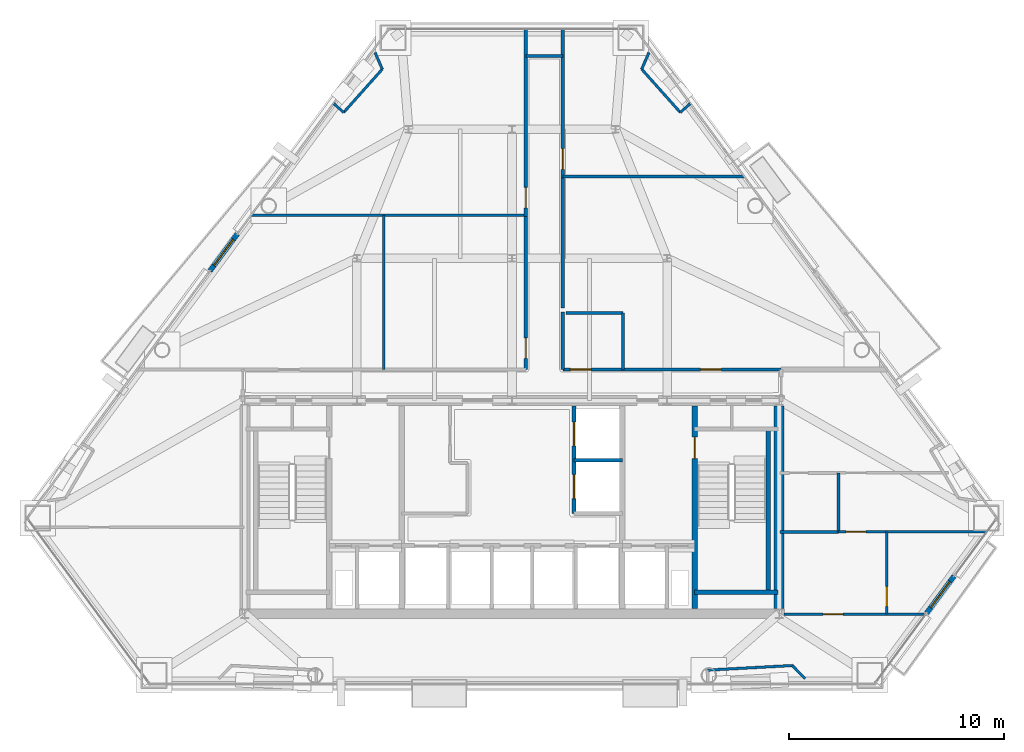
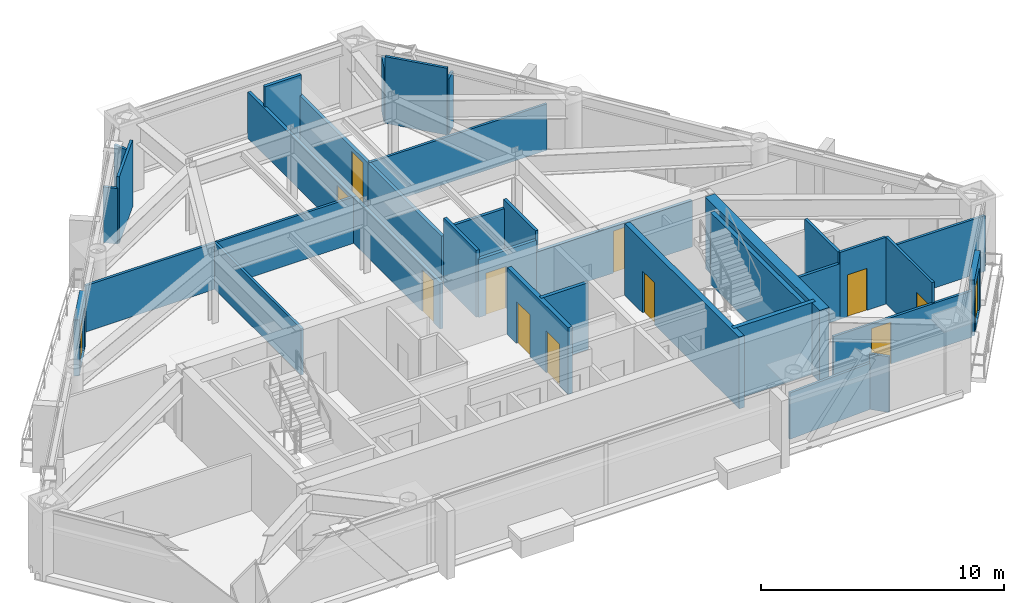
# One storey, part 8 of 11: 35 walls, 13 doors, 13 openings.
"""IFC4 building model written with IfcOpenShell, lengths in metres."""

import ifcopenshell
import ifcopenshell.guid

model = None  # the IFC model being written
_history = None  # IfcOwnerHistory: only IFC2X3 demands one
_inside = {}  # id of a spatial element -> (the spatial element, [elements in it])
_under = {}  # id of a project, library or spatial element -> (it, [spatial elements below it])
_declared = {}  # id of a project -> (the project, [libraries it declares])
_typed = {}  # id of a type object -> (the type object, [elements of that type])
_made_of = {}  # id of a material, layer set ... -> (it, [elements and type objects made of it])


def new_model(schema):
    """Start an empty IFC model of exactly this schema.

    Asked for "IFC4X3", IfcOpenShell would pick the latest addendum, in which some entities
    have other attributes; the version numbers below select the first issue.
    IFC2X3 requires an IfcOwnerHistory on every rooted entity: one is made here for all.
    """
    global model, _history
    if schema == "IFC4X3":
        model = ifcopenshell.file(schema_version=(4, 3, 0, 0))
    else:
        model = ifcopenshell.file(schema=schema)
    _inside.clear()
    _under.clear()
    _declared.clear()
    _typed.clear()
    _made_of.clear()
    _history = None
    if model.schema == "IFC2X3":
        org = make("IfcOrganization", Name="unknown")
        user = make(
            "IfcPersonAndOrganization",
            ThePerson=make("IfcPerson", FamilyName="unknown"),
            TheOrganization=org,
        )
        app = make(
            "IfcApplication",
            ApplicationDeveloper=org,
            Version="unknown",
            ApplicationFullName="unknown",
            ApplicationIdentifier="unknown",
        )
        _history = make(
            "IfcOwnerHistory",
            OwningUser=user,
            OwningApplication=app,
            ChangeAction="ADDED",
            CreationDate=0,
        )
    return model


def make(cls, **values):
    """One entity of the class cls with the attributes given. An attribute that is None is left unset."""
    return model.create_entity(
        cls, **{name: value for name, value in values.items() if value is not None}
    )


def rooted(cls, **values):
    """An entity with a GlobalId (a new one), such as an element, a storey or a relation."""
    return make(cls, GlobalId=ifcopenshell.guid.new(), OwnerHistory=_history, **values)


def si_unit(unit_type, name, prefix=None):
    """IfcSIUnit, for example si_unit("LENGTHUNIT", "METRE", prefix="MILLI")."""
    return make("IfcSIUnit", UnitType=unit_type, Prefix=prefix, Name=name)


def assignment(units):
    """IfcUnitAssignment: the units of a project."""
    return None if units is None else make("IfcUnitAssignment", Units=units)


def point(xyz):
    """IfcCartesianPoint."""
    return None if xyz is None else make("IfcCartesianPoint", Coordinates=xyz)


def direction(xyz):
    """IfcDirection."""
    return None if xyz is None else make("IfcDirection", DirectionRatios=xyz)


def frame(location, z_axis=None, x_axis=None):
    """IfcAxis2Placement3D, a coordinate frame: its origin and axes. An axis left out is left unset."""
    return make(
        "IfcAxis2Placement3D",
        Location=point(location),
        Axis=direction(z_axis),
        RefDirection=direction(x_axis),
    )


def frame_2d(location, x_axis=None):
    """IfcAxis2Placement2D, a coordinate frame in the plane: its origin and x axis."""
    return make(
        "IfcAxis2Placement2D", Location=point(location), RefDirection=direction(x_axis)
    )


def origin():
    """The frame at (0, 0, 0) with its axes left unset."""
    return frame((0.0, 0.0, 0.0))


def place(relative_to, where):
    """IfcLocalPlacement: puts the frame where relative to a parent placement (None: the world)."""
    return make(
        "IfcLocalPlacement", PlacementRelTo=relative_to, RelativePlacement=where
    )


def context(
    kind, dimensions, precision=None, world=None, true_north=None, identifier=None
):
    """IfcGeometricRepresentationContext, for example the 3D "Model" context."""
    return make(
        "IfcGeometricRepresentationContext",
        ContextIdentifier=identifier,
        ContextType=kind,
        CoordinateSpaceDimension=dimensions,
        Precision=precision,
        WorldCoordinateSystem=world,
        TrueNorth=true_north,
    )


def subcontext(parent, identifier, kind, view, scale=None):
    """IfcGeometricRepresentationSubContext, for example "Body" below "Model"."""
    return make(
        "IfcGeometricRepresentationSubContext",
        ContextIdentifier=identifier,
        ContextType=kind,
        ParentContext=parent,
        TargetScale=scale,
        TargetView=view,
    )


def project(units=None, contexts=None):
    """IfcProject with its units and contexts."""
    return rooted(
        "IfcProject",
        Name="project",
        RepresentationContexts=contexts,
        UnitsInContext=assignment(units),
    )


def spatial(cls, under=None, at=None, **own):
    """A site, building, storey or space (cls), placed at a placement, below another one or the project."""
    s = rooted(cls, ObjectPlacement=at, **own)
    if under is not None:
        _under.setdefault(under.id(), (under, []))[1].append(s)
    return s


def profile(cls, at=None, kind="AREA", **sizes):
    """A parametric profile (cls). Its sizes go by their IFC names, for example OverallWidth=200.0."""
    return make(cls, ProfileType=kind, Position=at, **sizes)


def rectangle(**sizes):
    """IfcRectangleProfileDef."""
    return profile("IfcRectangleProfileDef", **sizes)


def extrude(swept, where, along, depth):
    """IfcExtrudedAreaSolid: the profile swept, set in the frame where, extruded along a direction by depth."""
    return make(
        "IfcExtrudedAreaSolid",
        SweptArea=swept,
        Position=where,
        ExtrudedDirection=direction(along),
        Depth=depth,
    )


def shape(context_of_items, identifier, shape_type, items):
    """IfcShapeRepresentation: the items that make up one representation, for example the "Body"."""
    return make(
        "IfcShapeRepresentation",
        ContextOfItems=context_of_items,
        RepresentationIdentifier=identifier,
        RepresentationType=shape_type,
        Items=items,
    )


def material(Name=None, Category=None):
    """IfcMaterial."""
    return make("IfcMaterial", Name=Name, Category=Category)


def layer(
    of_material, thickness, ventilated=None, Name=None, Category=None, Priority=None
):
    """IfcMaterialLayer: one layer of a wall or slab, of a material (None: an air gap)."""
    return make(
        "IfcMaterialLayer",
        Material=of_material,
        LayerThickness=thickness,
        IsVentilated=ventilated,
        Name=Name,
        Category=Category,
        Priority=Priority,
    )


def layer_set(layers, Name=None):
    """IfcMaterialLayerSet."""
    return make("IfcMaterialLayerSet", MaterialLayers=layers, LayerSetName=Name)


def made_of(thing, what):
    """Note that an element or type object is made of a material, layer set ...; save() writes the relation."""
    if what is not None:
        _made_of.setdefault(what.id(), (what, []))[1].append(thing)
    return thing


def type_object(cls, material=None, **own):
    """A type object (cls), such as IfcWallType, which elements share."""
    return made_of(rooted(cls, **own), material)


def element(
    cls,
    number,
    at=None,
    inside=None,
    cuts=None,
    type_object=None,
    material=None,
    context=None,
    identifier="Body",
    shape_type=None,
    held_by="IfcProductDefinitionShape",
    body=None,
    shapes=None,
    **own,
):
    """One element of the class cls, such as IfcWall. Its Tag is "e" and its number.

    at: its placement. inside: the storey or other place that contains it. cuts: it is an
    opening in that element (IfcRelVoidsElement). A single representation is given by context,
    identifier, shape_type and body (its items); several are given by shapes. held_by: the class
    of the entity that holds the representations. save() writes the other relations.
    """
    e = rooted(cls, Tag="e%d" % number, ObjectPlacement=at, **own)
    if body is not None:
        shapes = [shape(context, identifier, shape_type, body)]
    if shapes is not None:
        e.Representation = make(held_by, Representations=shapes)
    if inside is not None:
        _inside.setdefault(inside.id(), (inside, []))[1].append(e)
    if cuts is not None:
        rooted(
            "IfcRelVoidsElement", RelatingBuildingElement=cuts, RelatedOpeningElement=e
        )
    if type_object is not None:
        _typed.setdefault(type_object.id(), (type_object, []))[1].append(e)
    return made_of(e, material)


def fill(opening, filler):
    """IfcRelFillsElement: the door or window that sits in an opening."""
    return rooted(
        "IfcRelFillsElement",
        RelatingOpeningElement=opening,
        RelatedBuildingElement=filler,
    )


def aggregate(whole, parts):
    """IfcRelAggregates: a whole, such as a stair, and the parts it consists of."""
    return rooted("IfcRelAggregates", RelatingObject=whole, RelatedObjects=parts)


def save(model, path):
    """Write the relations noted so far, then the file.

    IfcRelAggregates (storeys below a building ...), IfcRelContainedInSpatialStructure (elements
    in a storey), IfcRelDefinesByType, IfcRelAssociatesMaterial and IfcRelDeclares: one each for
    every whole, place, type object, material and project.
    """
    for whole, parts in _under.values():
        aggregate(whole, parts)
    for where, things in _inside.values():
        rooted(
            "IfcRelContainedInSpatialStructure",
            RelatedElements=things,
            RelatingStructure=where,
        )
    for kind, things in _typed.values():
        rooted("IfcRelDefinesByType", RelatedObjects=things, RelatingType=kind)
    for what, things in _made_of.values():
        rooted("IfcRelAssociatesMaterial", RelatedObjects=things, RelatingMaterial=what)
    for by, libraries in _declared.values():
        rooted("IfcRelDeclares", RelatingContext=by, RelatedDefinitions=libraries)
    model.write(path)


model = new_model("IFC4")

# Units and contexts
model_context = context("Model", 3, precision=1e-05, world=origin(), true_north=direction((0.0, 1.0)))
body_context = subcontext(model_context, "Body", "Model", "MODEL_VIEW")
ifc_project = project(units=[si_unit("LENGTHUNIT", "METRE"), si_unit("AREAUNIT", "SQUARE_METRE"), si_unit("VOLUMEUNIT", "CUBIC_METRE"), si_unit("PLANEANGLEUNIT", "RADIAN"), si_unit("MASSUNIT", "GRAM", prefix="KILO")], contexts=[model_context])

# Site, building, storey
site_placement = place(None, origin())
site = spatial("IfcSite", under=ifc_project, at=site_placement, CompositionType="ELEMENT")
building_placement = place(site_placement, origin())
building = spatial("IfcBuilding", under=site, at=building_placement, Name="Talgorran Terracotta Tower", CompositionType="ELEMENT")
storey_placement = place(building_placement, frame((0.0, 0.0, 125.699951171875)))
storey = spatial("IfcBuildingStorey", under=building, at=storey_placement, Name="L32", CompositionType="ELEMENT", Elevation=125.699951171875)

# Wall, opening, door
ifc_material_1 = material(Name="Concrete C40/50", Category="concrete")
ifc_layer_1 = layer(ifc_material_1, 0.239990234375, Name="WT_BALCONY_SPAND")
ifc_layer_set_1 = layer_set([ifc_layer_1], Name="Concrete C40/50")
wall_type_1 = type_object("IfcWallType", Name="WT_BALCONY_SPAND", PredefinedType="STANDARD", material=ifc_layer_set_1)
wall_1_placement = place(storey_placement, frame((-12.7509765625, 3.541015625, -0.014892578125), z_axis=(0.0, 0.0, 1.0), x_axis=(-0.594638042479, -0.80399353134, 0.0)))
wall_1 = element("IfcWall", 1, at=wall_1_placement, inside=storey, type_object=wall_type_1, Name="WL-L32-BALP-BAL-NW", PredefinedType="STANDARD", context=body_context, shape_type="SweptSolid", body=[
    extrude(rectangle(XDim=2.139892578125, YDim=0.239990234375, at=frame_2d((1.06982421875, 0.0))), origin(), (0.0, 0.0, 1.0), 2.806884765625),
])
opening_1_placement = place(wall_1_placement, frame((0.320068359375, 0.0, 0.014892578125)))
opening_1 = element("IfcOpeningElement", 2, at=opening_1_placement, cuts=wall_1, Name="Opening D-BAL-L32-2", PredefinedType="OPENING", context=body_context, shape_type="SweptSolid", body=[
    extrude(rectangle(XDim=1.506, YDim=2.203951171875, at=frame_2d((0.75, 1.10205078125))), frame((0.0, 0.1298828125, 0.0), z_axis=(0.0, -1.0, 0.0), x_axis=(1.0, 0.0, 0.0)), (0.0, 0.0, 1.0), 0.260009765625),
])
ifc_material_2 = material(Name="Thermally Broken Aluminium", Category="aluminium")
door_type_1 = type_object("IfcDoorType", Name="DT_BALC_1500", OperationType="SLIDING_TO_RIGHT", PredefinedType="DOOR", material=ifc_material_2)
door_1_placement = place(opening_1_placement, origin())
door_1 = element("IfcDoor", 3, at=door_1_placement, inside=storey, type_object=door_type_1, Name="DR-L32-BAL-BAL-NW", OperationType="SLIDING_TO_RIGHT", OverallHeight=2.199951171875, OverallWidth=1.5, PredefinedType="DOOR", context=body_context, shape_type="SweptSolid", body=[
    extrude(rectangle(XDim=1.5, YDim=2.199951171875, at=frame_2d((0.75, 1.10009765625))), frame((0.0, 0.02490234375, 0.0), z_axis=(0.0, -1.0, 0.0), x_axis=(1.0, 0.0, 0.0)), (0.0, 0.0, 1.0), 0.050048828125),
])
fill(opening_1, door_1)

wall_2_placement = place(storey_placement, frame((19.252197265625, -14.07470703125, -0.014892578125), z_axis=(0.0, 0.0, 1.0), x_axis=(0.594711783508, 0.803938986837, 0.0)))
wall_2 = element("IfcWall", 4, at=wall_2_placement, inside=storey, type_object=wall_type_1, Name="WL-L32-BALP-BAL-SE", PredefinedType="STANDARD", context=body_context, shape_type="SweptSolid", body=[
    extrude(rectangle(XDim=2.14013671875, YDim=0.239990234375, at=frame_2d((1.070068359375, 0.0))), origin(), (0.0, 0.0, 1.0), 2.806884765625),
])
opening_2_placement = place(wall_2_placement, frame((0.320068359375, 0.0, 0.014892578125)))
opening_2 = element("IfcOpeningElement", 5, at=opening_2_placement, cuts=wall_2, Name="Opening D-BAL-L32-3", PredefinedType="OPENING", context=body_context, shape_type="SweptSolid", body=[
    extrude(rectangle(XDim=1.506, YDim=2.203951171875, at=frame_2d((0.75, 1.10205078125))), frame((0.0, 0.1298828125, 0.0), z_axis=(0.0, -1.0, 0.0), x_axis=(1.0, 0.0, 0.0)), (0.0, 0.0, 1.0), 0.260009765625),
])
door_2_placement = place(opening_2_placement, origin())
door_2 = element("IfcDoor", 6, at=door_2_placement, inside=storey, type_object=door_type_1, Name="DR-L32-BAL-BAL-SE", OperationType="SLIDING_TO_RIGHT", OverallHeight=2.199951171875, OverallWidth=1.5, PredefinedType="DOOR", context=body_context, shape_type="SweptSolid", body=[
    extrude(rectangle(XDim=1.5, YDim=2.199951171875, at=frame_2d((0.75, 1.10009765625))), frame((0.0, 0.02490234375, 0.0), z_axis=(0.0, -1.0, 0.0), x_axis=(1.0, 0.0, 0.0)), (0.0, 0.0, 1.0), 0.050048828125),
])
fill(opening_2, door_2)

# Walls
ifc_material_3 = material(Name="Concrete C50/60", Category="concrete")
ifc_layer_2 = layer(ifc_material_3, 0.199951171875, Name="WT_CORE_200")
ifc_layer_set_2 = layer_set([ifc_layer_2], Name="Concrete C50/60")
wall_type_2 = type_object("IfcWallType", Name="WT_CORE_200", PredefinedType="SOLIDWALL", material=ifc_layer_set_2)
wall_3_placement = place(storey_placement, frame((8.47998046875, -13.10009765625, 0.0), z_axis=(0.0, 0.0, 1.0), x_axis=(1.0, 0.0, 0.0)))
element("IfcWall", 7, at=wall_3_placement, inside=storey, type_object=wall_type_2, Name="WL-L32-CW-ST2-S", PredefinedType="SOLIDWALL", context=body_context, shape_type="SweptSolid", body=[
    extrude(rectangle(XDim=3.8701171875, YDim=0.199951171875, at=frame_2d((1.93505859375, 0.0))), origin(), (0.0, 0.0, 1.0), 3.60009765625),
])
wall_4_placement = place(storey_placement, frame((11.89990234375, -13.10009765625, 0.0), z_axis=(0.0, 0.0, 1.0), x_axis=(0.0, 1.0, 0.0)))
element("IfcWall", 8, at=wall_4_placement, inside=storey, type_object=wall_type_2, Name="WL-L32-CW-ST2-E", PredefinedType="SOLIDWALL", context=body_context, shape_type="SweptSolid", body=[
    extrude(rectangle(XDim=7.580078125, YDim=0.199951171875, at=frame_2d((3.7900390625, 0.0))), origin(), (0.0, 0.0, 1.0), 3.60009765625),
])

# Wall, openings, doors
wall_5_placement = place(storey_placement, frame((2.8798828125, -9.449951171875, 0.0), z_axis=(0.0, 0.0, 1.0), x_axis=(0.0, 1.0, 0.0)))
wall_5 = element("IfcWall", 9, at=wall_5_placement, inside=storey, type_object=wall_type_2, Name="WL-L32-CW-V-E3", PredefinedType="SOLIDWALL", context=body_context, shape_type="SweptSolid", body=[
    extrude(rectangle(XDim=5.0, YDim=0.199951171875, at=frame_2d((2.5, 0.0))), origin(), (0.0, 0.0, 1.0), 3.35009765625),
])
opening_3_placement = place(wall_5_placement, frame((0.699951171875, 0.0, 0.0)))
opening_3 = element("IfcOpeningElement", 10, at=opening_3_placement, cuts=wall_5, Name="Opening LD-PLM1", PredefinedType="OPENING", context=body_context, shape_type="SweptSolid", body=[
    extrude(rectangle(XDim=1.10609765625, YDim=2.10409765625, at=frame_2d((0.550048828125, 1.052001953125))), frame((0.0, 0.10986328125, 0.0), z_axis=(0.0, -1.0, 0.0), x_axis=(1.0, 0.0, 0.0)), (0.0, 0.0, 1.0), 0.219970703125),
])
opening_4_placement = place(wall_5_placement, frame((3.14990234375, 0.0, 0.0)))
opening_4 = element("IfcOpeningElement", 11, at=opening_4_placement, cuts=wall_5, Name="Opening LD-PLM2", PredefinedType="OPENING", context=body_context, shape_type="SweptSolid", body=[
    extrude(rectangle(XDim=1.10609765625, YDim=2.10409765625, at=frame_2d((0.550048828125, 1.052001953125))), frame((0.0, 0.10986328125, 0.0), z_axis=(0.0, -1.0, 0.0), x_axis=(1.0, 0.0, 0.0)), (0.0, 0.0, 1.0), 0.219970703125),
])
ifc_material_4 = material(Name="Brushed Stainless Steel Grade 304", Category="steel")
door_type_2 = type_object("IfcDoorType", Name="DT_LIFT_LD1100", OperationType="DOUBLE_DOOR_SLIDING", PredefinedType="DOOR", material=ifc_material_4)
door_3_placement = place(opening_3_placement, origin())
door_3 = element("IfcDoor", 12, at=door_3_placement, inside=storey, type_object=door_type_2, Name="L32 Lift Landing Door LD-PLM1", OperationType="DOUBLE_DOOR_SLIDING", OverallHeight=2.10009765625, OverallWidth=1.10009765625, PredefinedType="DOOR", context=body_context, shape_type="SweptSolid", body=[
    extrude(rectangle(XDim=1.10009765625, YDim=2.10009765625, at=frame_2d((0.550048828125, 1.050048828125))), frame((0.0, 0.02490234375, 0.0), z_axis=(0.0, -1.0, 0.0), x_axis=(1.0, 0.0, 0.0)), (0.0, 0.0, 1.0), 0.050048828125),
])
fill(opening_3, door_3)
door_4_placement = place(opening_4_placement, origin())
door_4 = element("IfcDoor", 13, at=door_4_placement, inside=storey, type_object=door_type_2, Name="L32 Lift Landing Door LD-PLM2", OperationType="DOUBLE_DOOR_SLIDING", OverallHeight=2.10009765625, OverallWidth=1.10009765625, PredefinedType="DOOR", context=body_context, shape_type="SweptSolid", body=[
    extrude(rectangle(XDim=1.10009765625, YDim=2.10009765625, at=frame_2d((0.550048828125, 1.050048828125))), frame((0.0, 0.02490234375, 0.0), z_axis=(0.0, -1.0, 0.0), x_axis=(1.0, 0.0, 0.0)), (0.0, 0.0, 1.0), 0.050048828125),
])
fill(opening_4, door_4)

# Wall, opening, door
ifc_layer_3 = layer(ifc_material_3, 0.25, Name="WT_CORE_250")
ifc_layer_set_3 = layer_set([ifc_layer_3], Name="Concrete C50/60")
wall_type_3 = type_object("IfcWallType", Name="WT_CORE_250", PredefinedType="SHEAR", material=ifc_layer_set_3)
wall_6_placement = place(storey_placement, frame((8.47998046875, -13.85009765625, 0.0), z_axis=(0.0, 0.0, 1.0), x_axis=(0.0, 1.0, 0.0)))
wall_6 = element("IfcWall", 14, at=wall_6_placement, inside=storey, type_object=wall_type_3, Name="WL-L32-CW-V-E1", PredefinedType="SHEAR", context=body_context, shape_type="SweptSolid", body=[
    extrude(rectangle(XDim=9.400146484375, YDim=0.25, at=frame_2d((4.7001953125, 0.0))), origin(), (0.0, 0.0, 1.0), 3.60009765625),
])
opening_5_placement = place(wall_6_placement, frame((6.949951171875, 0.0, 0.0)))
opening_5 = element("IfcOpeningElement", 15, at=opening_5_placement, cuts=wall_6, Name="Opening DR-ST02", PredefinedType="OPENING", context=body_context, shape_type="SweptSolid", body=[
    extrude(rectangle(XDim=1.006, YDim=2.10409765625, at=frame_2d((0.5, 1.052001953125))), frame((0.0, 0.135009765625, 0.0), z_axis=(0.0, -1.0, 0.0), x_axis=(1.0, 0.0, 0.0)), (0.0, 0.0, 1.0), 0.27001953125),
])
ifc_material_5 = material(Name="Fire-Rated Pressed Steel", Category="steel")
door_type_3 = type_object("IfcDoorType", Name="DT_FIRE_1000", OperationType="NOTDEFINED", PredefinedType="DOOR", material=ifc_material_5)
door_5_placement = place(opening_5_placement, origin())
door_5 = element("IfcDoor", 16, at=door_5_placement, inside=storey, type_object=door_type_3, Name="DR-ST02", OperationType="SINGLE_SWING_RIGHT", OverallHeight=2.10009765625, OverallWidth=1.0, PredefinedType="DOOR", context=body_context, shape_type="SweptSolid", body=[
    extrude(rectangle(XDim=1.0, YDim=2.10009765625, at=frame_2d((0.5, 1.050048828125))), frame((0.0, 0.02490234375, 0.0), z_axis=(0.0, -1.0, 0.0), x_axis=(1.0, 0.0, 0.0)), (0.0, 0.0, 1.0), 0.050048828125),
])
fill(opening_5, door_5)

# Wall
ifc_material_6 = material(Name="Concrete C65/80", Category="concrete")
ifc_layer_4 = layer(ifc_material_6, 0.449951171875, Name="WT_CORE_EXT")
ifc_layer_set_4 = layer_set([ifc_layer_4], Name="Concrete C65/80")
wall_type_4 = type_object("IfcWallType", Name="WT_CORE_EXT", PredefinedType="SHEAR", material=ifc_layer_set_4)
wall_7_placement = place(storey_placement, frame((12.39990234375, -13.85009765625, 0.0), z_axis=(0.0, 0.0, 1.0), x_axis=(0.0, 1.0, 0.0)))
element("IfcWall", 17, at=wall_7_placement, inside=storey, type_object=wall_type_4, Name="WL-L32-CW-OUT-E", PredefinedType="SHEAR", context=body_context, shape_type="SweptSolid", body=[
    extrude(rectangle(XDim=9.400146484375, YDim=0.449951171875, at=frame_2d((4.7001953125, 0.0))), origin(), (0.0, 0.0, 1.0), 3.60009765625),
])

# Wall, opening, door
ifc_material_7 = material(Name="Fire-Rated Steel Stud Plasterboard", Category="steel")
ifc_layer_5 = layer(ifc_material_7, 0.14990234375, Name="WT_FIRE_150")
ifc_layer_set_5 = layer_set([ifc_layer_5], Name="Fire-Rated Steel Stud Plasterboard")
wall_type_5 = type_object("IfcWallType", Name="WT_FIRE_150", PredefinedType="PARTITIONING", material=ifc_layer_set_5)
wall_8_placement = place(storey_placement, frame((0.639892578125, 4.340087890625, 0.0), z_axis=(0.0, 0.0, 1.0), x_axis=(0.0, 1.0, 0.0)))
wall_8 = element("IfcWall", 18, at=wall_8_placement, inside=storey, type_object=wall_type_5, Name="WL-L32-W-L32-R04", PredefinedType="PARTITIONING", context=body_context, shape_type="SweptSolid", body=[
    extrude(rectangle(XDim=8.701904296875, YDim=0.14990234375, at=frame_2d((4.35107421875, 0.0))), origin(), (0.0, 0.0, 1.0), 2.324951171875),
])
opening_6_placement = place(wall_8_placement, frame((0.399658203125, 0.0, 0.0)))
opening_6 = element("IfcOpeningElement", 19, at=opening_6_placement, cuts=wall_8, Name="Opening DR-L32-R07", PredefinedType="OPENING", context=body_context, shape_type="SweptSolid", body=[
    extrude(rectangle(XDim=0.955951171875, YDim=2.10409765625, at=frame_2d((0.47509765625, 1.052001953125))), frame((0.0, 0.0849609375, 0.0), z_axis=(0.0, -1.0, 0.0), x_axis=(1.0, 0.0, 0.0)), (0.0, 0.0, 1.0), 0.169921875),
])
ifc_material_8 = material(Name="Fire-Rated Timber Core", Category="wood")
door_type_4 = type_object("IfcDoorType", Name="DT_FIRE_950", OperationType="NOTDEFINED", PredefinedType="DOOR", material=ifc_material_8)
door_6_placement = place(opening_6_placement, origin())
door_6 = element("IfcDoor", 20, at=door_6_placement, inside=storey, type_object=door_type_4, Name="DR-L32-R07", OperationType="SINGLE_SWING_LEFT", OverallHeight=2.10009765625, OverallWidth=0.949951171875, PredefinedType="DOOR", context=body_context, shape_type="SweptSolid", body=[
    extrude(rectangle(XDim=0.949951171875, YDim=2.10009765625, at=frame_2d((0.47509765625, 1.050048828125))), frame((0.0, 0.02490234375, 0.0), z_axis=(0.0, -1.0, 0.0), x_axis=(1.0, 0.0, 0.0)), (0.0, 0.0, 1.0), 0.050048828125),
])
fill(opening_6, door_6)

wall_9_placement = place(storey_placement, frame((5.10009765625, -2.760009765625, 0.0), z_axis=(0.0, 0.0, 1.0), x_axis=(1.0, 0.0, 0.0)))
wall_9 = element("IfcWall", 21, at=wall_9_placement, inside=storey, type_object=wall_type_5, Name="WL-L32-W-L32-R13", PredefinedType="PARTITIONING", context=body_context, shape_type="SweptSolid", body=[
    extrude(rectangle(XDim=7.39990234375, YDim=0.14990234375, at=frame_2d((3.699951171875, 0.0))), origin(), (0.0, 0.0, 1.0), 2.324951171875),
])
opening_7_placement = place(wall_9_placement, frame((3.662841796875, 0.0, 0.0)))
opening_7 = element("IfcOpeningElement", 22, at=opening_7_placement, cuts=wall_9, Name="Opening DR-L32-R13", PredefinedType="OPENING", context=body_context, shape_type="SweptSolid", body=[
    extrude(rectangle(XDim=0.955951171875, YDim=2.10409765625, at=frame_2d((0.47509765625, 1.052001953125))), frame((0.0, 0.0849609375, 0.0), z_axis=(0.0, -1.0, 0.0), x_axis=(1.0, 0.0, 0.0)), (0.0, 0.0, 1.0), 0.169921875),
])
door_7_placement = place(opening_7_placement, origin())
door_7 = element("IfcDoor", 23, at=door_7_placement, inside=storey, type_object=door_type_4, Name="DR-L32-R13", OperationType="SINGLE_SWING_LEFT", OverallHeight=2.10009765625, OverallWidth=0.949951171875, PredefinedType="DOOR", context=body_context, shape_type="SweptSolid", body=[
    extrude(rectangle(XDim=0.949951171875, YDim=2.10009765625, at=frame_2d((0.47509765625, 1.050048828125))), frame((0.0, 0.02490234375, 0.0), z_axis=(0.0, -1.0, 0.0), x_axis=(1.0, 0.0, 0.0)), (0.0, 0.0, 1.0), 0.050048828125),
])
fill(opening_7, door_7)

wall_10_placement = place(storey_placement, frame((0.639892578125, -2.760009765625, 0.0), z_axis=(0.0, 0.0, 1.0), x_axis=(0.0, 1.0, 0.0)))
wall_10 = element("IfcWall", 24, at=wall_10_placement, inside=storey, type_object=wall_type_5, Name="WL-L32-W-L32-R10", PredefinedType="PARTITIONING", context=body_context, shape_type="SweptSolid", body=[
    extrude(rectangle(XDim=7.097900390625, YDim=0.14990234375, at=frame_2d((3.548828125, 0.0))), origin(), (0.0, 0.0, 1.0), 2.324951171875),
])
opening_8_placement = place(wall_10_placement, frame((0.519287109375, 0.0, 0.0)))
opening_8 = element("IfcOpeningElement", 25, at=opening_8_placement, cuts=wall_10, Name="Opening DR-L32-R10", PredefinedType="OPENING", context=body_context, shape_type="SweptSolid", body=[
    extrude(rectangle(XDim=0.955951171875, YDim=2.10409765625, at=frame_2d((0.47509765625, 1.052001953125))), frame((0.0, 0.0849609375, 0.0), z_axis=(0.0, -1.0, 0.0), x_axis=(1.0, 0.0, 0.0)), (0.0, 0.0, 1.0), 0.169921875),
])
door_8_placement = place(opening_8_placement, origin())
door_8 = element("IfcDoor", 26, at=door_8_placement, inside=storey, type_object=door_type_4, Name="DR-L32-R10", OperationType="SINGLE_SWING_RIGHT", OverallHeight=2.10009765625, OverallWidth=0.949951171875, PredefinedType="DOOR", context=body_context, shape_type="SweptSolid", body=[
    extrude(rectangle(XDim=0.949951171875, YDim=2.10009765625, at=frame_2d((0.47509765625, 1.050048828125))), frame((0.0, 0.02490234375, 0.0), z_axis=(0.0, -1.0, 0.0), x_axis=(1.0, 0.0, 0.0)), (0.0, 0.0, 1.0), 0.050048828125),
])
fill(opening_8, door_8)

wall_11_placement = place(storey_placement, frame((2.360107421875, 6.139892578125, 0.0), z_axis=(0.0, 0.0, 1.0), x_axis=(0.0, 1.0, 0.0)))
wall_11 = element("IfcWall", 27, at=wall_11_placement, inside=storey, type_object=wall_type_5, Name="WL-L32-W-L32-R07", PredefinedType="PARTITIONING", context=body_context, shape_type="SweptSolid", body=[
    extrude(rectangle(XDim=6.902099609375, YDim=0.14990234375, at=frame_2d((3.451171875, 0.0))), origin(), (0.0, 0.0, 1.0), 2.324951171875),
])
opening_9_placement = place(wall_11_placement, frame((0.3994140625, 0.0, 0.0)))
opening_9 = element("IfcOpeningElement", 28, at=opening_9_placement, cuts=wall_11, Name="Opening DR-L32-R08", PredefinedType="OPENING", context=body_context, shape_type="SweptSolid", body=[
    extrude(rectangle(XDim=0.955951171875, YDim=2.10409765625, at=frame_2d((0.47509765625, 1.052001953125))), frame((0.0, 0.0849609375, 0.0), z_axis=(0.0, -1.0, 0.0), x_axis=(1.0, 0.0, 0.0)), (0.0, 0.0, 1.0), 0.169921875),
])
door_9_placement = place(opening_9_placement, origin())
door_9 = element("IfcDoor", 29, at=door_9_placement, inside=storey, type_object=door_type_4, Name="DR-L32-R08", OperationType="SINGLE_SWING_RIGHT", OverallHeight=2.10009765625, OverallWidth=0.949951171875, PredefinedType="DOOR", context=body_context, shape_type="SweptSolid", body=[
    extrude(rectangle(XDim=0.949951171875, YDim=2.10009765625, at=frame_2d((0.47509765625, 1.050048828125))), frame((0.0, 0.02490234375, 0.0), z_axis=(0.0, -1.0, 0.0), x_axis=(1.0, 0.0, 0.0)), (0.0, 0.0, 1.0), 0.050048828125),
])
fill(opening_9, door_9)

# Wall
wall_12_placement = place(storey_placement, frame((2.360107421875, 0.10009765625, 0.0), z_axis=(0.0, 0.0, 1.0), x_axis=(0.0, 1.0, 0.0)))
element("IfcWall", 30, at=wall_12_placement, inside=storey, type_object=wall_type_5, Name="WL-L32-W-L32-R12", PredefinedType="PARTITIONING", context=body_context, shape_type="SweptSolid", body=[
    extrude(rectangle(XDim=6.037841796875, YDim=0.14990234375, at=frame_2d((3.01904296875, 0.0))), origin(), (0.0, 0.0, 1.0), 2.324951171875),
])

# Wall, opening, door
wall_13_placement = place(storey_placement, frame((2.360107421875, -2.760009765625, 0.0), z_axis=(0.0, 0.0, 1.0), x_axis=(1.0, 0.0, 0.0)))
wall_13 = element("IfcWall", 31, at=wall_13_placement, inside=storey, type_object=wall_type_5, Name="WL-L32-W-L32-R02", PredefinedType="PARTITIONING", context=body_context, shape_type="SweptSolid", body=[
    extrude(rectangle(XDim=2.73779296875, YDim=0.14990234375, at=frame_2d((1.368896484375, 0.0))), origin(), (0.0, 0.0, 1.0), 2.918701171875),
])
opening_10_placement = place(wall_13_placement, frame((0.355712890625, 0.0, 0.0)))
opening_10 = element("IfcOpeningElement", 32, at=opening_10_placement, cuts=wall_13, Name="Opening DR-L32-R01", PredefinedType="OPENING", context=body_context, shape_type="SweptSolid", body=[
    extrude(rectangle(XDim=0.955951171875, YDim=2.10409765625, at=frame_2d((0.47509765625, 1.052001953125))), frame((0.0, 0.0849609375, 0.0), z_axis=(0.0, -1.0, 0.0), x_axis=(1.0, 0.0, 0.0)), (0.0, 0.0, 1.0), 0.169921875),
])
door_10_placement = place(opening_10_placement, origin())
door_10 = element("IfcDoor", 33, at=door_10_placement, inside=storey, type_object=door_type_4, Name="DR-L32-R01", OperationType="SINGLE_SWING_LEFT", OverallHeight=2.10009765625, OverallWidth=0.949951171875, PredefinedType="DOOR", context=body_context, shape_type="SweptSolid", body=[
    extrude(rectangle(XDim=0.949951171875, YDim=2.10009765625, at=frame_2d((0.47509765625, 1.050048828125))), frame((0.0, 0.02490234375, 0.0), z_axis=(0.0, -1.0, 0.0), x_axis=(1.0, 0.0, 0.0)), (0.0, 0.0, 1.0), 0.050048828125),
])
fill(opening_10, door_10)

# Walls
wall_14_placement = place(storey_placement, frame((2.360107421875, -2.760009765625, 0.0), z_axis=(0.0, 0.0, 1.0), x_axis=(0.0, 1.0, 0.0)))
element("IfcWall", 34, at=wall_14_placement, inside=storey, type_object=wall_type_5, Name="WL-L32-W-L32-R01", PredefinedType="PARTITIONING", context=body_context, shape_type="SweptSolid", body=[
    extrude(rectangle(XDim=2.679931640625, YDim=0.14990234375, at=frame_2d((1.33984375, 0.0))), origin(), (0.0, 0.0, 1.0), 3.35009765625),
])
wall_15_placement = place(storey_placement, frame((0.639892578125, 11.800048828125, 0.0), z_axis=(0.0, 0.0, 1.0), x_axis=(1.0, 0.0, 0.0)))
element("IfcWall", 35, at=wall_15_placement, inside=storey, type_object=wall_type_5, Name="WL-L32-W-L32-R05", PredefinedType="PARTITIONING", context=body_context, shape_type="SweptSolid", body=[
    extrude(rectangle(XDim=1.72021484375, YDim=0.14990234375, at=frame_2d((0.860107421875, 0.0))), origin(), (0.0, 0.0, 1.0), 3.35009765625),
])
ifc_material_9 = material(Name="Insulated Steel Stud Plasterboard", Category="steel")
ifc_layer_6 = layer(ifc_material_9, 0.1201171875, Name="WT_PART_120")
ifc_layer_set_6 = layer_set([ifc_layer_6], Name="Insulated Steel Stud Plasterboard")
wall_type_6 = type_object("IfcWallType", Name="WT_PART_120", PredefinedType="PARTITIONING", material=ifc_layer_set_6)
wall_16_placement = place(storey_placement, frame((2.360107421875, 6.199951171875, 0.0), z_axis=(0.0, 0.0, 1.0), x_axis=(1.0, 0.0, 0.0)))
element("IfcWall", 36, at=wall_16_placement, inside=storey, type_object=wall_type_6, Name="WL-L32-W-L32-R27", PredefinedType="PARTITIONING", context=body_context, shape_type="SweptSolid", body=[
    extrude(rectangle(XDim=8.42431640625, YDim=0.1201171875, at=frame_2d((4.212158203125, 0.0))), origin(), (0.0, 0.0, 1.0), 2.324951171875),
])
wall_17_placement = place(storey_placement, frame((-5.9599609375, -2.760009765625, 0.0), z_axis=(0.0, 0.0, 1.0), x_axis=(0.0, 1.0, 0.0)))
element("IfcWall", 37, at=wall_17_placement, inside=storey, type_object=wall_type_6, Name="WL-L32-W-L32-R28", PredefinedType="PARTITIONING", context=body_context, shape_type="SweptSolid", body=[
    extrude(rectangle(XDim=7.159912109375, YDim=0.1201171875, at=frame_2d((3.580078125, 0.0))), origin(), (0.0, 0.0, 1.0), 2.324951171875),
])
wall_18_placement = place(storey_placement, frame((-12.11572265625, 4.39990234375, 0.0), z_axis=(0.0, 0.0, 1.0), x_axis=(1.0, 0.0, 0.0)))
element("IfcWall", 38, at=wall_18_placement, inside=storey, type_object=wall_type_6, Name="WL-L32-W-L32-R26", PredefinedType="PARTITIONING", context=body_context, shape_type="SweptSolid", body=[
    extrude(rectangle(XDim=12.755615234375, YDim=0.1201171875, at=frame_2d((6.3779296875, 0.0))), origin(), (0.0, 0.0, 1.0), 2.324951171875),
])

# Wall, opening, door
wall_19_placement = place(storey_placement, frame((12.639892578125, -14.1201171875, 0.0), z_axis=(0.0, 0.0, 1.0), x_axis=(1.0, 0.0, 0.0)))
wall_19 = element("IfcWall", 39, at=wall_19_placement, inside=storey, type_object=wall_type_6, Name="WL-L32-W-L32-R23", PredefinedType="PARTITIONING", context=body_context, shape_type="SweptSolid", body=[
    extrude(rectangle(XDim=6.578857421875, YDim=0.1201171875, at=frame_2d((3.28955078125, 0.0))), origin(), (0.0, 0.0, 1.0), 2.324951171875),
])
opening_11_placement = place(wall_19_placement, frame((1.811279296875, 0.0, 0.0)))
opening_11 = element("IfcOpeningElement", 40, at=opening_11_placement, cuts=wall_19, Name="Opening DR-L32-R05", PredefinedType="OPENING", context=body_context, shape_type="SweptSolid", body=[
    extrude(rectangle(XDim=0.925921875, YDim=2.10409765625, at=frame_2d((0.4599609375, 1.052001953125))), frame((0.0, 0.070068359375, 0.0), z_axis=(0.0, -1.0, 0.0), x_axis=(1.0, 0.0, 0.0)), (0.0, 0.0, 1.0), 0.14013671875),
])
ifc_material_10 = material(Name="Solid-Core Painted Timber", Category="wood")
door_type_5 = type_object("IfcDoorType", Name="DT_INT_920", OperationType="NOTDEFINED", PredefinedType="DOOR", material=ifc_material_10)
door_11_placement = place(opening_11_placement, origin())
door_11 = element("IfcDoor", 41, at=door_11_placement, inside=storey, type_object=door_type_5, Name="DR-L32-R05", OperationType="SINGLE_SWING_LEFT", OverallHeight=2.10009765625, OverallWidth=0.919921875, PredefinedType="DOOR", context=body_context, shape_type="SweptSolid", body=[
    extrude(rectangle(XDim=0.919921875, YDim=2.10009765625, at=frame_2d((0.4599609375, 1.050048828125))), frame((0.0, 0.02490234375, 0.0), z_axis=(0.0, -1.0, 0.0), x_axis=(1.0, 0.0, 0.0)), (0.0, 0.0, 1.0), 0.050048828125),
])
fill(opening_11, door_11)

# Wall
wall_20_placement = place(storey_placement, frame((17.340087890625, -10.300048828125, 0.0), z_axis=(0.0, 0.0, 1.0), x_axis=(1.0, 0.0, 0.0)))
element("IfcWall", 42, at=wall_20_placement, inside=storey, type_object=wall_type_6, Name="WL-L32-W-L32-R22", PredefinedType="PARTITIONING", context=body_context, shape_type="SweptSolid", body=[
    extrude(rectangle(XDim=4.7041015625, YDim=0.1201171875, at=frame_2d((2.35205078125, 0.0))), origin(), (0.0, 0.0, 1.0), 2.7919921875),
])

# Wall, opening, door
wall_21_placement = place(storey_placement, frame((17.39990234375, -14.1201171875, 0.0), z_axis=(0.0, 0.0, 1.0), x_axis=(0.0, 1.0, 0.0)))
wall_21 = element("IfcWall", 43, at=wall_21_placement, inside=storey, type_object=wall_type_6, Name="WL-L32-W-L32-R24", PredefinedType="PARTITIONING", context=body_context, shape_type="SweptSolid", body=[
    extrude(rectangle(XDim=3.820068359375, YDim=0.1201171875, at=frame_2d((1.91015625, 0.0))), origin(), (0.0, 0.0, 1.0), 3.35009765625),
])
opening_12_placement = place(wall_21_placement, frame((0.358154296875, 0.0, 0.0)))
opening_12 = element("IfcOpeningElement", 44, at=opening_12_placement, cuts=wall_21, Name="Opening DR-L32-R06", PredefinedType="OPENING", context=body_context, shape_type="SweptSolid", body=[
    extrude(rectangle(XDim=0.925921875, YDim=2.10409765625, at=frame_2d((0.4599609375, 1.052001953125))), frame((0.0, 0.070068359375, 0.0), z_axis=(0.0, -1.0, 0.0), x_axis=(1.0, 0.0, 0.0)), (0.0, 0.0, 1.0), 0.14013671875),
])
door_12_placement = place(opening_12_placement, origin())
door_12 = element("IfcDoor", 45, at=door_12_placement, inside=storey, type_object=door_type_5, Name="DR-L32-R06", OperationType="SINGLE_SWING_RIGHT", OverallHeight=2.10009765625, OverallWidth=0.919921875, PredefinedType="DOOR", context=body_context, shape_type="SweptSolid", body=[
    extrude(rectangle(XDim=0.919921875, YDim=2.10009765625, at=frame_2d((0.4599609375, 1.050048828125))), frame((0.0, 0.02490234375, 0.0), z_axis=(0.0, -1.0, 0.0), x_axis=(1.0, 0.0, 0.0)), (0.0, 0.0, 1.0), 0.050048828125),
])
fill(opening_12, door_12)

# Walls
wall_22_placement = place(storey_placement, frame((9.0703125, -16.71875, 0.0), z_axis=(0.0, 0.0, 1.0), x_axis=(0.998537679812, 0.054060170142, 0.0)))
element("IfcWall", 46, at=wall_22_placement, inside=storey, type_object=wall_type_6, Name="WL-L32-BW-L32-07", PredefinedType="PARTITIONING", context=body_context, shape_type="SweptSolid", body=[
    extrude(rectangle(XDim=3.95166015625, YDim=0.1201171875, at=frame_2d((1.975830078125, 0.0))), origin(), (0.0, 0.0, 1.0), 2.324951171875),
])
for number, where, z_axis, x_axis, name in (
    (47, (-6.02197265625, 11.18359375, 0.0), (0.0, 0.0, 1.0), (-0.665893234429, -0.746047049684, 0.0), "WL-L32-BW-L32-15"),
    (48, (7.81494140625, 9.1748046875, 0.0), (0.0, 0.0, 1.0), (-0.665893234429, 0.746047049684, 0.0), "WL-L32-BW-L32-18"),
):
    element("IfcWall", number, at=place(storey_placement, frame(where, z_axis=z_axis, x_axis=x_axis)), inside=storey, type_object=wall_type_6, Name=name, PredefinedType="PARTITIONING", context=body_context, shape_type="SweptSolid", body=[
        extrude(rectangle(XDim=2.692626953125, YDim=0.1201171875, at=frame_2d((1.34619140625, 0.0))), origin(), (0.0, 0.0, 1.0), 3.35009765625),
    ])

# Wall, opening, door
wall_23_placement = place(storey_placement, frame((15.159912109375, -10.300048828125, 0.0), z_axis=(0.0, 0.0, 1.0), x_axis=(1.0, 0.0, 0.0)))
wall_23 = element("IfcWall", 49, at=wall_23_placement, inside=storey, type_object=wall_type_6, Name="WL-L32-W-L32-R21", PredefinedType="PARTITIONING", context=body_context, shape_type="SweptSolid", body=[
    extrude(rectangle(XDim=2.177978515625, YDim=0.1201171875, at=frame_2d((1.0888671875, 0.0))), origin(), (0.0, 0.0, 1.0), 3.35009765625),
])
opening_13_placement = place(wall_23_placement, frame((0.35595703125, 0.0, 0.0)))
opening_13 = element("IfcOpeningElement", 50, at=opening_13_placement, cuts=wall_23, Name="Opening DR-L32-R14", PredefinedType="OPENING", context=body_context, shape_type="SweptSolid", body=[
    extrude(rectangle(XDim=0.925921875, YDim=2.10409765625, at=frame_2d((0.4599609375, 1.052001953125))), frame((0.0, 0.070068359375, 0.0), z_axis=(0.0, -1.0, 0.0), x_axis=(1.0, 0.0, 0.0)), (0.0, 0.0, 1.0), 0.14013671875),
])
door_13_placement = place(opening_13_placement, origin())
door_13 = element("IfcDoor", 51, at=door_13_placement, inside=storey, type_object=door_type_5, Name="DR-L32-R14", OperationType="SINGLE_SWING_RIGHT", OverallHeight=2.10009765625, OverallWidth=0.919921875, PredefinedType="DOOR", context=body_context, shape_type="SweptSolid", body=[
    extrude(rectangle(XDim=0.919921875, YDim=2.10009765625, at=frame_2d((0.4599609375, 1.050048828125))), frame((0.0, 0.02490234375, 0.0), z_axis=(0.0, -1.0, 0.0), x_axis=(1.0, 0.0, 0.0)), (0.0, 0.0, 1.0), 0.050048828125),
])
fill(opening_13, door_13)

# Walls
wall_24_placement = place(storey_placement, frame((13.01611328125, -16.505126953125, 0.0), z_axis=(0.0, 0.0, 1.0), x_axis=(0.69475899008, -0.719242619498, 0.0)))
element("IfcWall", 52, at=wall_24_placement, inside=storey, type_object=wall_type_6, Name="WL-L32-BW-L32-05", PredefinedType="PARTITIONING", context=body_context, shape_type="SweptSolid", body=[
    extrude(rectangle(XDim=0.84765625, YDim=0.1201171875, at=frame_2d((0.423828125, 0.0))), origin(), (0.0, 0.0, 1.0), 2.7919921875),
])
for number, where, z_axis, x_axis, name in (
    (53, (-6.35791015625, 11.953369140625, 0.0), (0.0, 0.0, 1.0), (0.399979973786, -0.916523878887, 0.0), "WL-L32-BW-L32-14"),
    (54, (6.02197265625, 11.18359375, 0.0), (0.0, 0.0, 1.0), (0.399979973786, 0.916523878887, 0.0), "WL-L32-BW-L32-19"),
):
    element("IfcWall", number, at=place(storey_placement, frame(where, z_axis=z_axis, x_axis=x_axis)), inside=storey, type_object=wall_type_6, Name=name, PredefinedType="PARTITIONING", context=body_context, shape_type="SweptSolid", body=[
        extrude(rectangle(XDim=0.83984375, YDim=0.1201171875, at=frame_2d((0.419921875, 0.0))), origin(), (0.0, 0.0, 1.0), 2.7919921875),
    ])
for number, where, z_axis, x_axis, name in (
    (55, (-7.81494140625, 9.1748046875, 0.0), (0.0, 0.0, 1.0), (-0.746306161963, 0.665602818967, 0.0), "WL-L32-BW-L32-16"),
    (56, (8.27099609375, 9.58154296875, 0.0), (0.0, 0.0, 1.0), (-0.746306161963, -0.665602818967, 0.0), "WL-L32-BW-L32-17"),
):
    element("IfcWall", number, at=place(storey_placement, frame(where, z_axis=z_axis, x_axis=x_axis)), inside=storey, type_object=wall_type_6, Name=name, PredefinedType="PARTITIONING", context=body_context, shape_type="SweptSolid", body=[
        extrude(rectangle(XDim=0.611083984375, YDim=0.1201171875, at=frame_2d((0.3056640625, 0.0))), origin(), (0.0, 0.0, 1.0), 2.7919921875),
    ])
ifc_material_11 = material(Name="Moisture-Resistant Stud Wall")
ifc_layer_7 = layer(ifc_material_11, 0.135009765625, Name="WT_PART_135")
ifc_layer_set_7 = layer_set([ifc_layer_7], Name="Moisture-Resistant Stud Wall")
wall_type_7 = type_object("IfcWallType", Name="WT_PART_135", PredefinedType="PARTITIONING", material=ifc_layer_set_7)
wall_25_placement = place(storey_placement, frame((15.159912109375, -10.300048828125, 0.0), z_axis=(0.0, 0.0, 1.0), x_axis=(0.0, 1.0, 0.0)))
element("IfcWall", 57, at=wall_25_placement, inside=storey, type_object=wall_type_7, Name="WL-L32-W-L32-R19", PredefinedType="PARTITIONING", context=body_context, shape_type="SweptSolid", body=[
    extrude(rectangle(XDim=2.739990234375, YDim=0.135009765625, at=frame_2d((1.3701171875, 0.0))), origin(), (0.0, 0.0, 1.0), 3.35009765625),
])
wall_26_placement = place(storey_placement, frame((12.43994140625, -10.300048828125, 0.0), z_axis=(0.0, 0.0, 1.0), x_axis=(1.0, 0.0, 0.0)))
element("IfcWall", 58, at=wall_26_placement, inside=storey, type_object=wall_type_7, Name="WL-L32-W-L32-R20", PredefinedType="PARTITIONING", context=body_context, shape_type="SweptSolid", body=[
    extrude(rectangle(XDim=2.719970703125, YDim=0.135009765625, at=frame_2d((1.35986328125, 0.0))), origin(), (0.0, 0.0, 1.0), 2.7919921875),
])
wall_27_placement = place(storey_placement, frame((5.159912109375, -2.760009765625, 0.0), z_axis=(0.0, 0.0, 1.0), x_axis=(0.0, 1.0, 0.0)))
element("IfcWall", 59, at=wall_27_placement, inside=storey, type_object=wall_type_7, Name="WL-L32-W-L32-R15", PredefinedType="PARTITIONING", context=body_context, shape_type="SweptSolid", body=[
    extrude(rectangle(XDim=2.6201171875, YDim=0.135009765625, at=frame_2d((1.31005859375, 0.0))), origin(), (0.0, 0.0, 1.0), 3.35009765625),
])
wall_28_placement = place(storey_placement, frame((2.5, -0.139892578125, 0.0), z_axis=(0.0, 0.0, 1.0), x_axis=(1.0, 0.0, 0.0)))
element("IfcWall", 60, at=wall_28_placement, inside=storey, type_object=wall_type_7, Name="WL-L32-W-L32-R14", PredefinedType="PARTITIONING", context=body_context, shape_type="SweptSolid", body=[
    extrude(rectangle(XDim=2.659912109375, YDim=0.135009765625, at=frame_2d((1.330078125, 0.0))), origin(), (0.0, 0.0, 1.0), 2.918701171875),
])
ifc_material_12 = material(Name="Fire-Rated Shaftwall")
ifc_layer_8 = layer(ifc_material_12, 0.159912109375, Name="WT_PART_150")
ifc_layer_set_8 = layer_set([ifc_layer_8], Name="Fire-Rated Shaftwall")
wall_type_8 = type_object("IfcWallType", Name="WT_PART_150", PredefinedType="PARTITIONING", material=ifc_layer_set_8)
wall_29_placement = place(storey_placement, frame((2.8798828125, -6.97998046875, 0.0), z_axis=(0.0, 0.0, 1.0), x_axis=(1.0, 0.0, 0.0)))
element("IfcWall", 61, at=wall_29_placement, inside=storey, type_object=wall_type_8, Name="WL-L32-CW-PLM-DIV", PredefinedType="PARTITIONING", context=body_context, shape_type="SweptSolid", body=[
    extrude(rectangle(XDim=2.240234375, YDim=0.159912109375, at=frame_2d((1.1201171875, 0.0))), origin(), (0.0, 0.0, 1.0), 3.35009765625),
])

save(model, "model.ifc")
